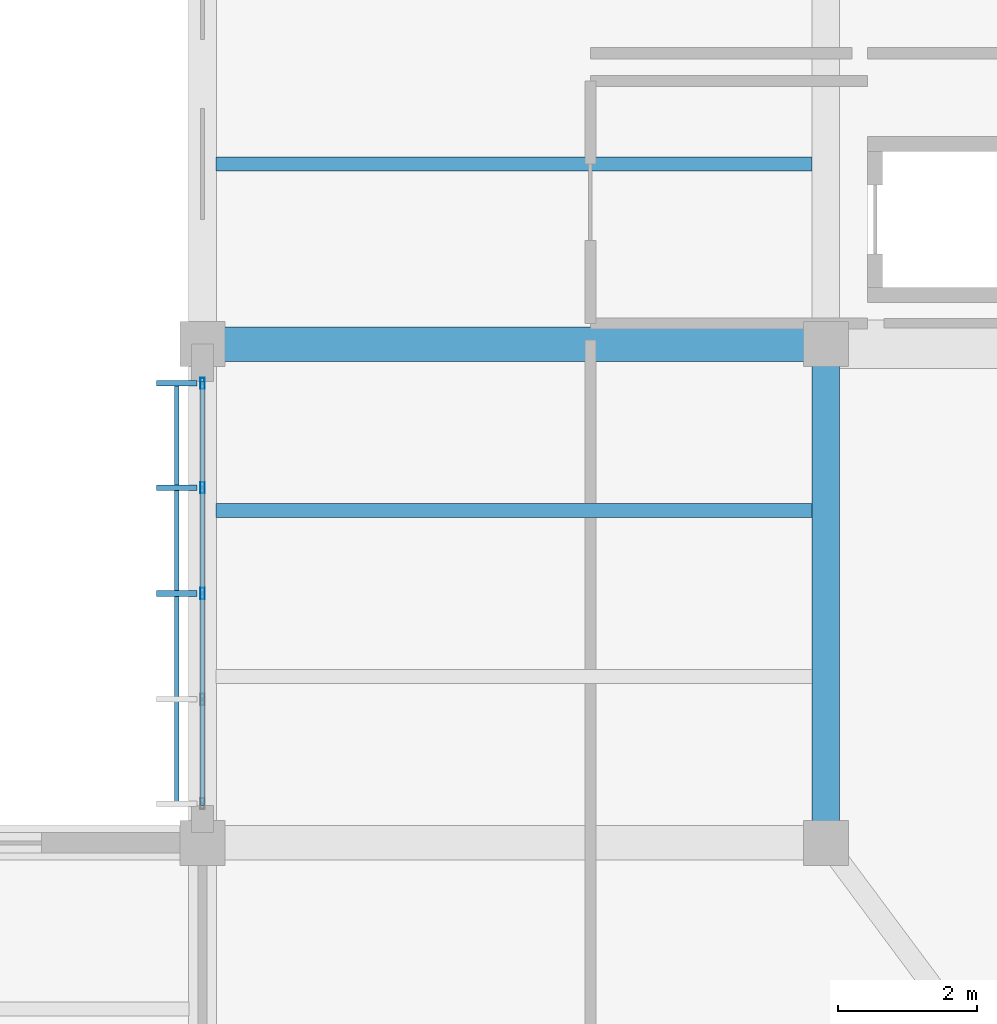
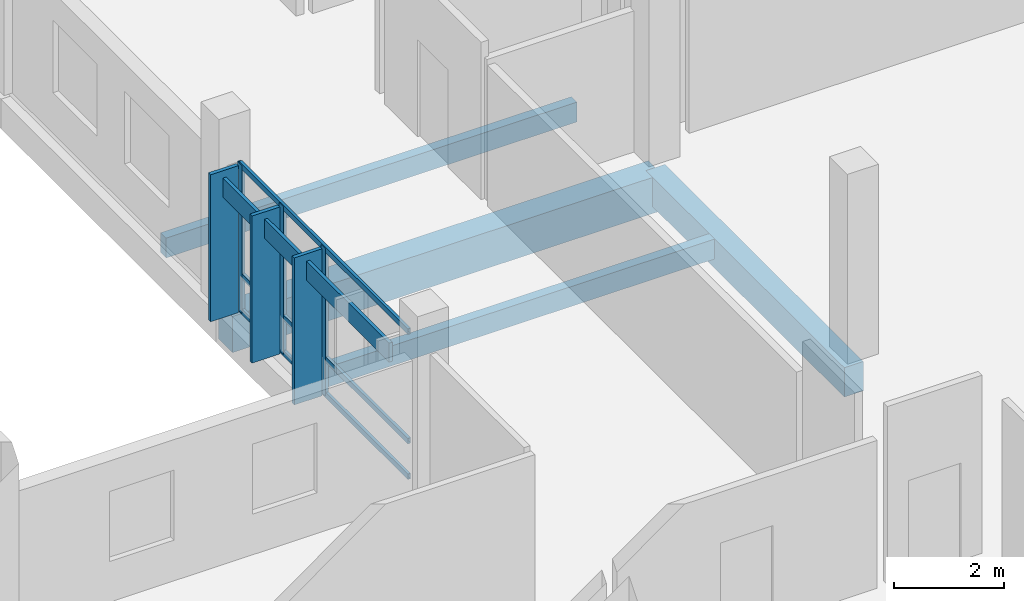
# One storey, part 94 of 182: 10 members, 4 beams, 1 element without a shape of its own.
"""IFC4 building model written with IfcOpenShell, lengths in metres."""

from ifc_helpers import new_model, si_unit, direction, frame, origin, origin_2d, place, context, subcontext, project, spatial, rectangle, hollow_rectangle, extrude, material, material_profile, profile_set, type_object, element, aggregate, save


model = new_model("IFC4")

# Units and contexts
model_context = context("Model", 3, precision=1e-05, world=origin(), true_north=direction((0.0, 1.0)))
body_context = subcontext(model_context, "Body", "Model", "MODEL_VIEW")
ifc_project = project(units=[si_unit("LENGTHUNIT", "METRE"), si_unit("AREAUNIT", "SQUARE_METRE"), si_unit("VOLUMEUNIT", "CUBIC_METRE"), si_unit("PLANEANGLEUNIT", "RADIAN"), si_unit("MASSUNIT", "GRAM", prefix="KILO")], contexts=[model_context])

# Site, building, storey
site_placement = place(None, origin())
site = spatial("IfcSite", under=ifc_project, at=site_placement, CompositionType="ELEMENT")
building_placement = place(site_placement, origin())
building = spatial("IfcBuilding", under=site, at=building_placement, Name="Chiffa Square Polytechnic", CompositionType="ELEMENT")
storey_placement = place(building_placement, frame((0.0, 0.0, 9.60009765625)))
storey = spatial("IfcBuildingStorey", under=building, at=storey_placement, Name="L02", CompositionType="ELEMENT", Elevation=9.60009765625)

# Beams
ifc_material_1 = material(Name="Concrete C35/45", Category="concrete")
ifc_material_profile_1 = material_profile(ifc_material_1, rectangle(XDim=0.39990234375, YDim=0.64990234375, at=origin_2d()), Name="RC 400x650")
ifc_profile_set_1 = profile_set([ifc_material_profile_1], Name="Concrete C35/45")
beam_type_1 = type_object("IfcBeamType", Name="BM-RC-400X650", PredefinedType="BEAM", material=ifc_profile_set_1)
beam_1_placement = place(storey_placement, frame((157.199951171875, 28.800048828125, -0.64501953125), z_axis=(0.0, 1.0, 0.0), x_axis=(-1.0, 0.0, 0.0)))
element("IfcBeam", 1, at=beam_1_placement, inside=storey, type_object=beam_type_1, Name="Primary floor girder BM-V1-L02-Y-1572-0288", PredefinedType="BEAM", context=body_context, shape_type="SweptSolid", body=[
    extrude(rectangle(XDim=0.39990234375, YDim=0.64990234375, at=origin_2d()), origin(), (0.0, 0.0, 1.0), 7.199951171875),
])
ifc_material_2 = material(Name="Concrete C40/50", Category="concrete")
ifc_material_profile_2 = material_profile(ifc_material_2, rectangle(XDim=0.5, YDim=0.800048828125, at=origin_2d()), Name="RC 500x800")
ifc_profile_set_2 = profile_set([ifc_material_profile_2], Name="Concrete C40/50")
beam_type_2 = type_object("IfcBeamType", Name="BM-RC-500X800", PredefinedType="BEAM", material=ifc_profile_set_2)
beam_2_placement = place(storey_placement, frame((148.199951171875, 36.0, -0.72021484375), z_axis=(1.0, 0.0, 0.0), x_axis=(0.0, 1.0, 0.0)))
element("IfcBeam", 2, at=beam_2_placement, inside=storey, type_object=beam_type_2, Name="Primary floor girder BM-V1-L02-X-1482-0360", PredefinedType="BEAM", context=body_context, shape_type="SweptSolid", body=[
    extrude(rectangle(XDim=0.5, YDim=0.800048828125, at=origin_2d()), origin(), (0.0, 0.0, 1.0), 9.0),
])

# Curtain wall, members
ifc_material_3 = material(Name="Aluminium EN AW-6060 T66 and glulam shading", Category="wood")
curtain_wall_type = type_object("IfcCurtainWallType", Name="CW-VERT-300X380", PredefinedType="USERDEFINED", material=ifc_material_3)
curtain_wall_placement = place(storey_placement, origin())
curtain_wall = element("IfcCurtainWall", 3, at=curtain_wall_placement, inside=storey, type_object=curtain_wall_type, Name="Curtain wall CW-V1-L02-131", ObjectType="CURTAIN WALL", PredefinedType="USERDEFINED")
ifc_material_4 = material(Name="Aluminium EN AW-6060 T66", Category="aluminium")
ifc_material_profile_3 = material_profile(ifc_material_4, hollow_rectangle(XDim=0.06005859375, YDim=0.159912109375, WallThickness=0.00390625, at=origin_2d()), Name="ALU 60x160x4")
ifc_profile_set_3 = profile_set([ifc_material_profile_3], Name="Aluminium EN AW-6060 T66")
member_type_1 = type_object("IfcMemberType", Name="CWM-ALU-65X150", PredefinedType="MULLION", material=ifc_profile_set_3)
member_1_placement = place(storey_placement, frame((148.199951171875, 35.43505859375, 0.0), z_axis=(0.0, 0.0, 1.0), x_axis=(1.0, 0.0, 0.0)))
member_1 = element("IfcMember", 4, at=member_1_placement, type_object=member_type_1, Name="Curtain wall mullion CW-V1-L02-131-M00", PredefinedType="MULLION", context=body_context, shape_type="SweptSolid", body=[
    extrude(hollow_rectangle(XDim=0.06005859375, YDim=0.159912109375, WallThickness=0.00390625, at=origin_2d()), origin(), (0.0, 0.0, 1.0), 3.27490234375),
])
member_2_placement = place(storey_placement, frame((148.199951171875, 33.929931640625, 0.0), z_axis=(0.0, 0.0, 1.0), x_axis=(1.0, 0.0, 0.0)))
member_2 = element("IfcMember", 5, at=member_2_placement, type_object=member_type_1, Name="Curtain wall mullion CW-V1-L02-131-M01", PredefinedType="MULLION", context=body_context, shape_type="SweptSolid", body=[
    extrude(hollow_rectangle(XDim=0.06005859375, YDim=0.159912109375, WallThickness=0.00390625, at=origin_2d()), origin(), (0.0, 0.0, 1.0), 3.27490234375),
])
member_3_placement = place(storey_placement, frame((148.199951171875, 32.39990234375, 0.0), z_axis=(0.0, 0.0, 1.0), x_axis=(1.0, 0.0, 0.0)))
member_3 = element("IfcMember", 6, at=member_3_placement, type_object=member_type_1, Name="Curtain wall mullion CW-V1-L02-131-M02", PredefinedType="MULLION", context=body_context, shape_type="SweptSolid", body=[
    extrude(hollow_rectangle(XDim=0.06005859375, YDim=0.159912109375, WallThickness=0.00390625, at=origin_2d()), origin(), (0.0, 0.0, 1.0), 3.27490234375),
])
ifc_material_5 = material(Name="Glulam GL28h", Category="wood")
ifc_material_profile_4 = material_profile(ifc_material_5, rectangle(XDim=0.080078125, YDim=0.580078125, at=origin_2d()), Name="GL28h 80x580")
ifc_profile_set_4 = profile_set([ifc_material_profile_4], Name="Glulam GL28h")
member_type_2 = type_object("IfcMemberType", Name="CWM-GL-80X580", PredefinedType="MULLION", material=ifc_profile_set_4)
member_4_placement = place(storey_placement, frame((147.827880859375, 35.43505859375, 0.010009765625), z_axis=(0.0, 0.0, 1.0), x_axis=(0.0, -1.0, 0.0)))
member_4 = element("IfcMember", 7, at=member_4_placement, type_object=member_type_2, Name="Exterior glulam solar fin CW-V1-L02-131-FN00", PredefinedType="MULLION", context=body_context, shape_type="SweptSolid", body=[
    extrude(rectangle(XDim=0.080078125, YDim=0.580078125, at=origin_2d()), origin(), (0.0, 0.0, 1.0), 3.2548828125),
])
member_5_placement = place(storey_placement, frame((147.827880859375, 33.929931640625, 0.010009765625), z_axis=(0.0, 0.0, 1.0), x_axis=(0.0, -1.0, 0.0)))
member_5 = element("IfcMember", 8, at=member_5_placement, type_object=member_type_2, Name="Exterior glulam solar fin CW-V1-L02-131-FN01", PredefinedType="MULLION", context=body_context, shape_type="SweptSolid", body=[
    extrude(rectangle(XDim=0.080078125, YDim=0.580078125, at=origin_2d()), origin(), (0.0, 0.0, 1.0), 3.2548828125),
])
member_6_placement = place(storey_placement, frame((147.827880859375, 32.39990234375, 0.010009765625), z_axis=(0.0, 0.0, 1.0), x_axis=(0.0, -1.0, 0.0)))
member_6 = element("IfcMember", 9, at=member_6_placement, type_object=member_type_2, Name="Exterior glulam solar fin CW-V1-L02-131-FN02", PredefinedType="MULLION", context=body_context, shape_type="SweptSolid", body=[
    extrude(rectangle(XDim=0.080078125, YDim=0.580078125, at=origin_2d()), origin(), (0.0, 0.0, 1.0), 3.2548828125),
])
ifc_material_profile_5 = material_profile(ifc_material_4, hollow_rectangle(XDim=0.06005859375, YDim=0.1201171875, WallThickness=0.00390625, at=origin_2d()), Name="ALU 60x120x4")
ifc_profile_set_5 = profile_set([ifc_material_profile_5], Name="Aluminium EN AW-6060 T66")
member_type_3 = type_object("IfcMemberType", Name="CWT-ALU-65X120", PredefinedType="USERDEFINED", material=ifc_profile_set_5)
member_7_placement = place(storey_placement, frame((148.199951171875, 35.4619140625, 0.02978515625), z_axis=(0.0, -1.0, 0.0), x_axis=(1.0, 0.0, 0.0)))
member_7 = element("IfcMember", 10, at=member_7_placement, type_object=member_type_3, Name="Curtain wall transom CW-V1-L02-131-T01", ObjectType="TRANSOM", PredefinedType="USERDEFINED", context=body_context, shape_type="SweptSolid", body=[
    extrude(hollow_rectangle(XDim=0.06005859375, YDim=0.1201171875, WallThickness=0.00390625, at=origin_2d()), origin(), (0.0, 0.0, 1.0), 6.1240234375),
])
member_8_placement = place(storey_placement, frame((148.199951171875, 35.4619140625, 0.81982421875), z_axis=(0.0, -1.0, 0.0), x_axis=(1.0, 0.0, 0.0)))
member_8 = element("IfcMember", 11, at=member_8_placement, type_object=member_type_3, Name="Curtain wall transom CW-V1-L02-131-T02", ObjectType="TRANSOM", PredefinedType="USERDEFINED", context=body_context, shape_type="SweptSolid", body=[
    extrude(hollow_rectangle(XDim=0.06005859375, YDim=0.1201171875, WallThickness=0.00390625, at=origin_2d()), origin(), (0.0, 0.0, 1.0), 6.1240234375),
])
member_9_placement = place(storey_placement, frame((148.199951171875, 35.4619140625, 3.244873046875), z_axis=(0.0, -1.0, 0.0), x_axis=(1.0, 0.0, 0.0)))
member_9 = element("IfcMember", 12, at=member_9_placement, type_object=member_type_3, Name="Curtain wall transom CW-V1-L02-131-T03", ObjectType="TRANSOM", PredefinedType="USERDEFINED", context=body_context, shape_type="SweptSolid", body=[
    extrude(hollow_rectangle(XDim=0.06005859375, YDim=0.1201171875, WallThickness=0.00390625, at=origin_2d()), origin(), (0.0, 0.0, 1.0), 6.1240234375),
])
ifc_material_profile_6 = material_profile(ifc_material_5, rectangle(XDim=0.070068359375, YDim=0.419921875, at=origin_2d()), Name="GL28h 70x420")
ifc_profile_set_6 = profile_set([ifc_material_profile_6], Name="Glulam GL28h")
member_type_4 = type_object("IfcMemberType", Name="CWT-GL-70X420", PredefinedType="USERDEFINED", material=ifc_profile_set_6)
member_10_placement = place(storey_placement, frame((147.827880859375, 35.43505859375, 2.89501953125), z_axis=(0.0, -1.0, 0.0), x_axis=(1.0, 0.0, 0.0)))
member_10 = element("IfcMember", 13, at=member_10_placement, type_object=member_type_4, Name="Exterior glulam brise-soleil CW-V1-L02-131-BS01", ObjectType="TRANSOM", PredefinedType="USERDEFINED", context=body_context, shape_type="SweptSolid", body=[
    extrude(rectangle(XDim=0.070068359375, YDim=0.419921875, at=origin_2d()), origin(), (0.0, 0.0, 1.0), 6.070068359375),
])
aggregate(curtain_wall, [member_1, member_4, member_2, member_5, member_3, member_6, member_7, member_8, member_9, member_10])

# Beams
ifc_material_profile_7 = material_profile(ifc_material_5, rectangle(XDim=0.199951171875, YDim=0.43994140625, at=origin_2d()), Name="GL28h 200x440")
ifc_profile_set_7 = profile_set([ifc_material_profile_7], Name="Glulam GL28h")
beam_type_3 = type_object("IfcBeamType", Name="JST-GL-200X440", PredefinedType="JOIST", material=ifc_profile_set_7)
for number, where, z_axis, x_axis, name in (
    (14, (148.39794921875, 33.60009765625, -0.5400390625), (1.0, 0.0, 0.0), (0.0, 1.0, 0.0), "Secondary floor joist JST-V1-L02-1482-0336"),
    (15, (148.39794921875, 38.60009765625, -0.5400390625), (1.0, 0.0, 0.0), (0.0, 1.0, 0.0), "Secondary floor joist JST-V1-L02-1482-0386"),
):
    element("IfcBeam", number, at=place(storey_placement, frame(where, z_axis=z_axis, x_axis=x_axis)), inside=storey, type_object=beam_type_3, Name=name, PredefinedType="JOIST", context=body_context, shape_type="SweptSolid", body=[
        extrude(rectangle(XDim=0.199951171875, YDim=0.43994140625, at=origin_2d()), origin(), (0.0, 0.0, 1.0), 8.60400390625),
    ])

save(model, "model.ifc")
